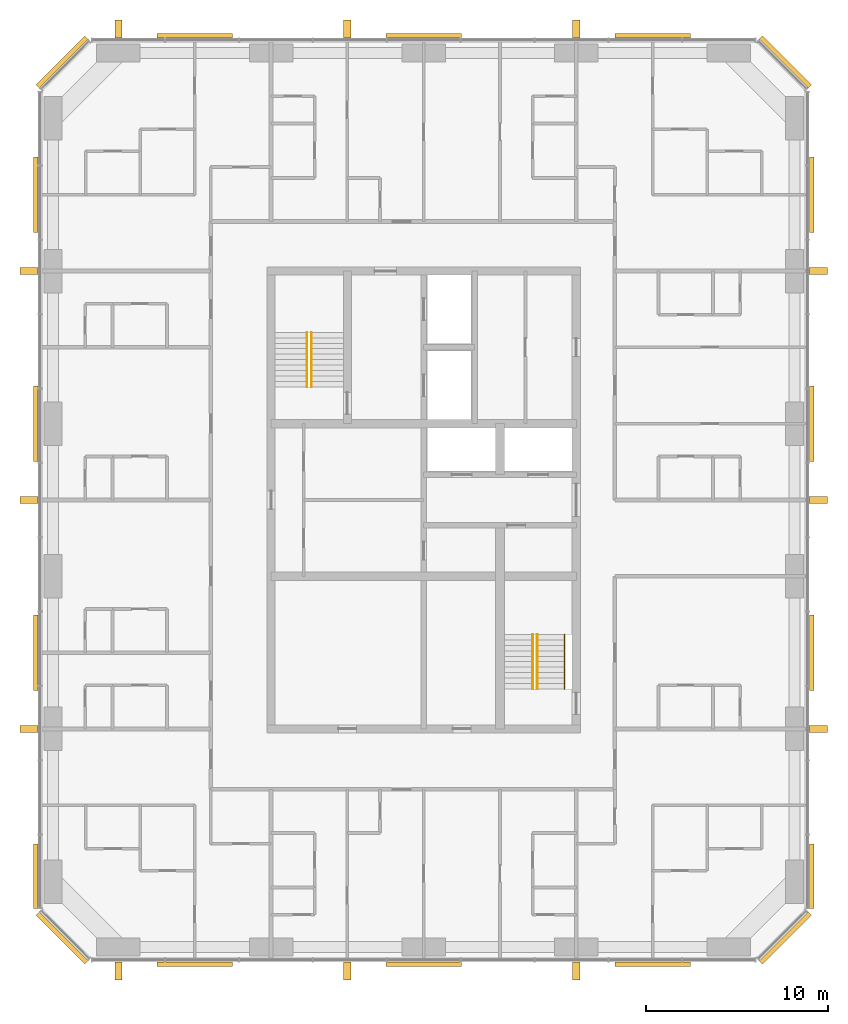
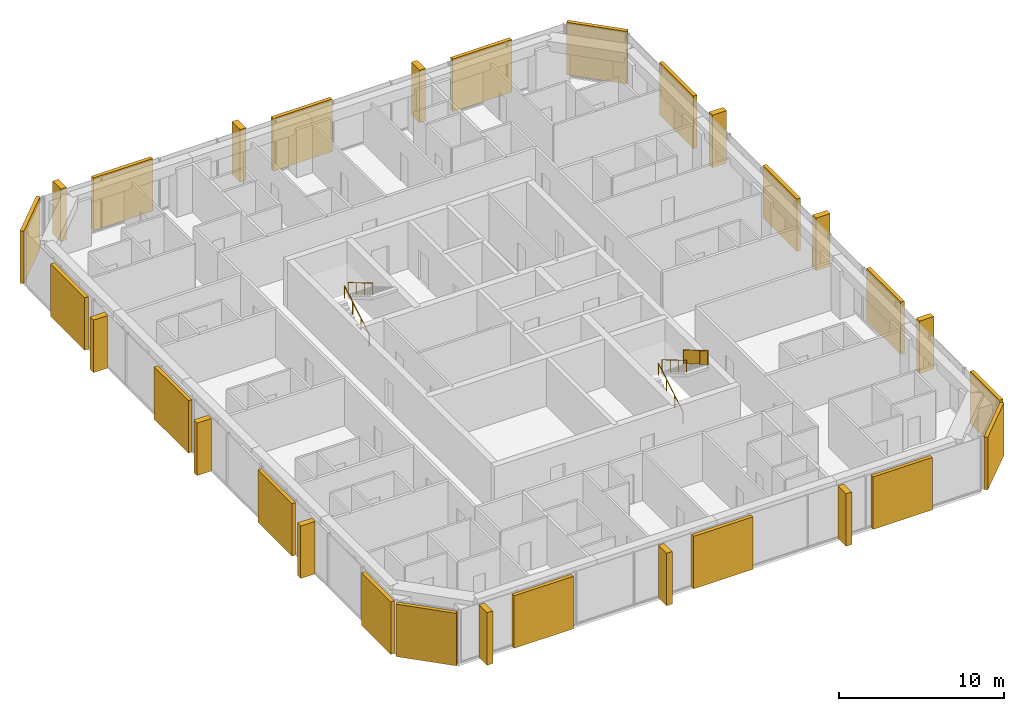
# One storey, part 13 of 13: 18 coverings, 12 shading devices, 5 railings.
"""IFC4 building model written with IfcOpenShell, lengths in metres."""

from ifc_helpers import new_model, si_unit, direction, frame, origin, origin_2d, place, context, subcontext, project, spatial, polyline, rectangle, circle, outline, extrude, material, layer, layer_set, type_object, element, save


model = new_model("IFC4")

# Units and contexts
model_context = context("Model", 3, precision=1e-05, world=origin(), true_north=direction((0.0, 1.0)))
body_context = subcontext(model_context, "Body", "Model", "MODEL_VIEW")
ifc_project = project(units=[si_unit("LENGTHUNIT", "METRE"), si_unit("AREAUNIT", "SQUARE_METRE"), si_unit("VOLUMEUNIT", "CUBIC_METRE"), si_unit("PLANEANGLEUNIT", "RADIAN"), si_unit("MASSUNIT", "GRAM", prefix="KILO")], contexts=[model_context])

# Site, building, storey
site_placement = place(None, origin())
site = spatial("IfcSite", under=ifc_project, at=site_placement, CompositionType="ELEMENT")
building_placement = place(site_placement, origin())
building = spatial("IfcBuilding", under=site, at=building_placement, Name="Dunama Terrace Hotel", CompositionType="ELEMENT")
storey_placement = place(building_placement, frame((0.0, 0.0, 276.300048828125)))
storey = spatial("IfcBuildingStorey", under=building, at=storey_placement, Name="L71", CompositionType="ELEMENT", Elevation=276.300048828125)

# Railings
ifc_material_1 = material(Name="Stainless steel and laminated glass guard", Category="steel")
railing_type_1 = type_object("IfcRailingType", Name="Guard 1100", PredefinedType="GUARDRAIL", material=ifc_material_1)
railing_1_placement = place(storey_placement, frame((41.35009765625, 22.0, 2.127197265625)))
element("IfcRailing", 1, at=railing_1_placement, inside=storey, type_object=railing_type_1, Name="Stair guard ST2 L71", PredefinedType="GUARDRAIL", context=body_context, shape_type="SweptSolid", body=[
    extrude(circle(Radius=0.02392578125, at=origin_2d()), frame((0.0, 0.0, 1.076171875), z_axis=(0.0, -0.86092931783, 0.508724591208), x_axis=(1.0, 0.0, 0.0)), (0.0, 0.0, 1.0), 3.484619140625),
    extrude(circle(Radius=0.02099609375, at=origin_2d()), origin(), (0.0, 0.0, 1.0), 1.052001953125),
    extrude(circle(Radius=0.02099609375, at=origin_2d()), frame((0.0, -1.0, 0.5908203125)), (0.0, 0.0, 1.0), 1.052001953125),
    extrude(circle(Radius=0.02099609375, at=origin_2d()), frame((0.0, -2.0, 1.181884765625)), (0.0, 0.0, 1.0), 1.052001953125),
    extrude(circle(Radius=0.02099609375, at=origin_2d()), frame((0.0, -3.0, 1.772705078125)), (0.0, 0.0, 1.0), 1.052001953125),
    extrude(outline(polyline([(0.0048828125, 0.052978515625), (0.9951171875, 0.63818359375), (0.9951171875, 1.6640625), (0.0048828125, 1.078857421875), (0.0048828125, 0.052978515625)])), frame((0.0087890625, 0.0, 0.0), z_axis=(-1.0, 0.0, 0.0), x_axis=(0.0, -1.0, 0.0)), (0.0, 0.0, 1.0), 0.017578125),
    extrude(outline(polyline([(0.0048828125, 0.052978515625), (0.9951171875, 0.63818359375), (0.9951171875, 1.6640625), (0.0048828125, 1.078857421875), (0.0048828125, 0.052978515625)])), frame((0.0087890625, -1.0, 0.5908203125), z_axis=(-1.0, 0.0, 0.0), x_axis=(0.0, -1.0, 0.0)), (0.0, 0.0, 1.0), 0.017578125),
    extrude(outline(polyline([(0.0048828125, 0.052978515625), (0.9951171875, 0.63818359375), (0.9951171875, 1.6640625), (0.0048828125, 1.078857421875), (0.0048828125, 0.052978515625)])), frame((0.0087890625, -2.0, 1.181884765625), z_axis=(-1.0, 0.0, 0.0), x_axis=(0.0, -1.0, 0.0)), (0.0, 0.0, 1.0), 0.017578125),
])
ifc_material_2 = material(Name="Stainless steel handrail", Category="steel")
railing_type_2 = type_object("IfcRailingType", Name="Stair handrail 900", PredefinedType="HANDRAIL", material=ifc_material_2)
railing_2_placement = place(storey_placement, frame((27.175048828125, 35.625, 0.17724609375)))
element("IfcRailing", 2, at=railing_2_placement, inside=storey, type_object=railing_type_2, Name="Handrail ST1 L71", PredefinedType="HANDRAIL", context=body_context, shape_type="SweptSolid", body=[
    extrude(circle(Radius=0.02392578125, at=origin_2d()), frame((0.0, 0.0, 0.8759765625), z_axis=(0.0, 0.86092931783, 0.508724591208), x_axis=(-1.0, 0.0, 0.0)), (0.0, 0.0, 1.0), 3.484619140625),
    extrude(circle(Radius=0.02099609375, at=origin_2d()), origin(), (0.0, 0.0, 1.0), 0.851806640625),
    extrude(circle(Radius=0.02099609375, at=origin_2d()), frame((0.0, 1.0, 0.5908203125)), (0.0, 0.0, 1.0), 0.851806640625),
    extrude(circle(Radius=0.02099609375, at=origin_2d()), frame((0.0, 2.0, 1.181884765625)), (0.0, 0.0, 1.0), 0.851806640625),
    extrude(circle(Radius=0.02099609375, at=origin_2d()), frame((0.0, 3.0, 1.772705078125)), (0.0, 0.0, 1.0), 0.851806640625),
])
railing_3_placement = place(storey_placement, frame((27.425048828125, 38.625, 2.127197265625)))
element("IfcRailing", 3, at=railing_3_placement, inside=storey, type_object=railing_type_2, Name="Handrail ST1 L71", PredefinedType="HANDRAIL", context=body_context, shape_type="SweptSolid", body=[
    extrude(circle(Radius=0.02392578125, at=origin_2d()), frame((0.0, 0.0, 0.8759765625), z_axis=(0.0, -0.86092931783, 0.508724591208), x_axis=(1.0, 0.0, 0.0)), (0.0, 0.0, 1.0), 3.484619140625),
    extrude(circle(Radius=0.02099609375, at=origin_2d()), origin(), (0.0, 0.0, 1.0), 0.851806640625),
    extrude(circle(Radius=0.02099609375, at=origin_2d()), frame((0.0, -1.0, 0.5908203125)), (0.0, 0.0, 1.0), 0.851806640625),
    extrude(circle(Radius=0.02099609375, at=origin_2d()), frame((0.0, -2.0, 1.181884765625)), (0.0, 0.0, 1.0), 0.851806640625),
    extrude(circle(Radius=0.02099609375, at=origin_2d()), frame((0.0, -3.0, 1.772705078125)), (0.0, 0.0, 1.0), 0.851806640625),
])
railing_4_placement = place(storey_placement, frame((39.60009765625, 19.0, 0.17724609375)))
element("IfcRailing", 4, at=railing_4_placement, inside=storey, type_object=railing_type_2, Name="Handrail ST2 L71", PredefinedType="HANDRAIL", context=body_context, shape_type="SweptSolid", body=[
    extrude(circle(Radius=0.02392578125, at=origin_2d()), frame((0.0, 0.0, 0.8759765625), z_axis=(0.0, 0.86092931783, 0.508724591208), x_axis=(-1.0, 0.0, 0.0)), (0.0, 0.0, 1.0), 3.484619140625),
    extrude(circle(Radius=0.02099609375, at=origin_2d()), origin(), (0.0, 0.0, 1.0), 0.851806640625),
    extrude(circle(Radius=0.02099609375, at=origin_2d()), frame((0.0, 1.0, 0.5908203125)), (0.0, 0.0, 1.0), 0.851806640625),
    extrude(circle(Radius=0.02099609375, at=origin_2d()), frame((0.0, 2.0, 1.181884765625)), (0.0, 0.0, 1.0), 0.851806640625),
    extrude(circle(Radius=0.02099609375, at=origin_2d()), frame((0.0, 3.0, 1.772705078125)), (0.0, 0.0, 1.0), 0.851806640625),
])
railing_5_placement = place(storey_placement, frame((39.85009765625, 22.0, 2.127197265625)))
element("IfcRailing", 5, at=railing_5_placement, inside=storey, type_object=railing_type_2, Name="Handrail ST2 L71", PredefinedType="HANDRAIL", context=body_context, shape_type="SweptSolid", body=[
    extrude(circle(Radius=0.02392578125, at=origin_2d()), frame((0.0, 0.0, 0.8759765625), z_axis=(0.0, -0.86092931783, 0.508724591208), x_axis=(1.0, 0.0, 0.0)), (0.0, 0.0, 1.0), 3.484619140625),
    extrude(circle(Radius=0.02099609375, at=origin_2d()), origin(), (0.0, 0.0, 1.0), 0.851806640625),
    extrude(circle(Radius=0.02099609375, at=origin_2d()), frame((0.0, -1.0, 0.5908203125)), (0.0, 0.0, 1.0), 0.851806640625),
    extrude(circle(Radius=0.02099609375, at=origin_2d()), frame((0.0, -2.0, 1.181884765625)), (0.0, 0.0, 1.0), 0.851806640625),
    extrude(circle(Radius=0.02099609375, at=origin_2d()), frame((0.0, -3.0, 1.772705078125)), (0.0, 0.0, 1.0), 0.851806640625),
])

# Coverings
ifc_material_3 = material(Name="Warm reconstituted stone panel", Category="masonry")
ifc_layer_1 = layer(ifc_material_3, 0.25)
ifc_layer_set_1 = layer_set([ifc_layer_1], Name="Stone diagonal panel")
covering_type = type_object("IfcCoveringType", Name="Stone diagonal panel", PredefinedType="CLADDING", material=ifc_layer_set_1)
for number, where, z_axis, x_axis, name in (
    (6, (21.0, 3.8369140625, 0.001953125), (0.0, 0.0, 1.0), (1.0, 0.0, 0.0), "Stone diagonal panel L71"),
    (7, (33.60009765625, 3.8369140625, 0.001953125), (0.0, 0.0, 1.0), (1.0, 0.0, 0.0), "Stone diagonal panel L71"),
    (8, (46.199951171875, 3.8369140625, 0.001953125), (0.0, 0.0, 1.0), (1.0, 0.0, 0.0), "Stone diagonal panel L71"),
):
    element("IfcCovering", number, at=place(storey_placement, frame(where, z_axis=z_axis, x_axis=x_axis)), inside=storey, type_object=covering_type, Name=name, PredefinedType="CLADDING", context=body_context, shape_type="SweptSolid", body=[
        extrude(rectangle(XDim=4.14990234375, YDim=0.25, at=origin_2d()), origin(), (0.0, 0.0, 1.0), 3.89599609375),
    ])
covering_1_placement = place(storey_placement, frame((53.507080078125, 5.29296875, 0.001953125), z_axis=(0.0, 0.0, 1.0), x_axis=(0.707106781187, 0.707106781187, 0.0)))
element("IfcCovering", 9, at=covering_1_placement, inside=storey, type_object=covering_type, Name="Stone diagonal panel L71", PredefinedType="CLADDING", context=body_context, shape_type="SweptSolid", body=[
    extrude(rectangle(XDim=3.808349609375, YDim=0.25, at=origin_2d()), origin(), (0.0, 0.0, 1.0), 3.89599609375),
])
covering_2_placement = place(storey_placement, frame((54.962890625, 8.68994140625, 0.001953125), z_axis=(0.0, 0.0, 1.0), x_axis=(0.0, 1.0, 0.0)))
element("IfcCovering", 10, at=covering_2_placement, inside=storey, type_object=covering_type, Name="Stone diagonal panel L71", PredefinedType="CLADDING", context=body_context, shape_type="SweptSolid", body=[
    extrude(rectangle(XDim=3.570068359375, YDim=0.25, at=origin_2d()), origin(), (0.0, 0.0, 1.0), 3.89599609375),
])
for number, where, z_axis, x_axis, name in (
    (11, (54.962890625, 21.0, 0.001953125), (0.0, 0.0, 1.0), (0.0, 1.0, 0.0), "Stone diagonal panel L71"),
    (12, (54.962890625, 33.60009765625, 0.001953125), (0.0, 0.0, 1.0), (0.0, 1.0, 0.0), "Stone diagonal panel L71"),
    (13, (54.962890625, 46.199951171875, 0.001953125), (0.0, 0.0, 1.0), (0.0, 1.0, 0.0), "Stone diagonal panel L71"),
):
    element("IfcCovering", number, at=place(storey_placement, frame(where, z_axis=z_axis, x_axis=x_axis)), inside=storey, type_object=covering_type, Name=name, PredefinedType="CLADDING", context=body_context, shape_type="SweptSolid", body=[
        extrude(rectangle(XDim=4.14990234375, YDim=0.25, at=origin_2d()), origin(), (0.0, 0.0, 1.0), 3.89599609375),
    ])
covering_3_placement = place(storey_placement, frame((53.507080078125, 53.507080078125, 0.001953125), z_axis=(0.0, 0.0, 1.0), x_axis=(-0.707106781187, 0.707106781187, 0.0)))
element("IfcCovering", 14, at=covering_3_placement, inside=storey, type_object=covering_type, Name="Stone diagonal panel L71", PredefinedType="CLADDING", context=body_context, shape_type="SweptSolid", body=[
    extrude(rectangle(XDim=3.808349609375, YDim=0.25, at=origin_2d()), origin(), (0.0, 0.0, 1.0), 3.89599609375),
])
for number, where, z_axis, x_axis, name in (
    (15, (46.199951171875, 54.962890625, 0.001953125), (0.0, 0.0, 1.0), (-1.0, 0.0, 0.0), "Stone diagonal panel L71"),
    (16, (33.60009765625, 54.962890625, 0.001953125), (0.0, 0.0, 1.0), (-1.0, 0.0, 0.0), "Stone diagonal panel L71"),
    (17, (21.0, 54.962890625, 0.001953125), (0.0, 0.0, 1.0), (-1.0, 0.0, 0.0), "Stone diagonal panel L71"),
):
    element("IfcCovering", number, at=place(storey_placement, frame(where, z_axis=z_axis, x_axis=x_axis)), inside=storey, type_object=covering_type, Name=name, PredefinedType="CLADDING", context=body_context, shape_type="SweptSolid", body=[
        extrude(rectangle(XDim=4.14990234375, YDim=0.25, at=origin_2d()), origin(), (0.0, 0.0, 1.0), 3.89599609375),
    ])
covering_4_placement = place(storey_placement, frame((13.693115234375, 53.507080078125, 0.001953125), z_axis=(0.0, 0.0, 1.0), x_axis=(-0.707106781187, -0.707106781187, 0.0)))
element("IfcCovering", 18, at=covering_4_placement, inside=storey, type_object=covering_type, Name="Stone diagonal panel L71", PredefinedType="CLADDING", context=body_context, shape_type="SweptSolid", body=[
    extrude(rectangle(XDim=3.808349609375, YDim=0.25, at=origin_2d()), origin(), (0.0, 0.0, 1.0), 3.89599609375),
])
for number, where, z_axis, x_axis, name in (
    (19, (12.237060546875, 46.199951171875, 0.001953125), (0.0, 0.0, 1.0), (0.0, -1.0, 0.0), "Stone diagonal panel L71"),
    (20, (12.237060546875, 33.60009765625, 0.001953125), (0.0, 0.0, 1.0), (0.0, -1.0, 0.0), "Stone diagonal panel L71"),
    (21, (12.237060546875, 21.0, 0.001953125), (0.0, 0.0, 1.0), (0.0, -1.0, 0.0), "Stone diagonal panel L71"),
):
    element("IfcCovering", number, at=place(storey_placement, frame(where, z_axis=z_axis, x_axis=x_axis)), inside=storey, type_object=covering_type, Name=name, PredefinedType="CLADDING", context=body_context, shape_type="SweptSolid", body=[
        extrude(rectangle(XDim=4.14990234375, YDim=0.25, at=origin_2d()), origin(), (0.0, 0.0, 1.0), 3.89599609375),
    ])
covering_5_placement = place(storey_placement, frame((12.237060546875, 8.68994140625, 0.001953125), z_axis=(0.0, 0.0, 1.0), x_axis=(0.0, -1.0, 0.0)))
element("IfcCovering", 22, at=covering_5_placement, inside=storey, type_object=covering_type, Name="Stone diagonal panel L71", PredefinedType="CLADDING", context=body_context, shape_type="SweptSolid", body=[
    extrude(rectangle(XDim=3.570068359375, YDim=0.25, at=origin_2d()), origin(), (0.0, 0.0, 1.0), 3.89599609375),
])
covering_6_placement = place(storey_placement, frame((13.693115234375, 5.29296875, 0.001953125), z_axis=(0.0, 0.0, 1.0), x_axis=(0.707106781187, -0.707106781187, 0.0)))
element("IfcCovering", 23, at=covering_6_placement, inside=storey, type_object=covering_type, Name="Stone diagonal panel L71", PredefinedType="CLADDING", context=body_context, shape_type="SweptSolid", body=[
    extrude(rectangle(XDim=3.808349609375, YDim=0.25, at=origin_2d()), origin(), (0.0, 0.0, 1.0), 3.89599609375),
])

# Shading devices
ifc_material_4 = material(Name="Warm reconstituted stone fin", Category="masonry")
ifc_layer_2 = layer(ifc_material_4, 0.39990234375)
ifc_layer_set_2 = layer_set([ifc_layer_2], Name="Warm stone fin 400x1000")
shading_device_type = type_object("IfcShadingDeviceType", Name="Warm stone fin 400x1000", PredefinedType="USERDEFINED", material=ifc_layer_set_2)
for number, where, z_axis, x_axis, name in (
    (24, (16.800048828125, 3.48193359375, 0.0), (0.0, 0.0, 1.0), (1.0, 0.0, 0.0), "Stone fin"),
    (25, (29.39990234375, 3.48193359375, 0.0), (0.0, 0.0, 1.0), (1.0, 0.0, 0.0), "Stone fin"),
    (26, (42.0, 3.48193359375, 0.0), (0.0, 0.0, 1.0), (1.0, 0.0, 0.0), "Stone fin"),
    (27, (55.318115234375, 16.800048828125, 0.0), (0.0, 0.0, 1.0), (0.0, 1.0, 0.0), "Stone fin"),
    (28, (55.318115234375, 29.39990234375, 0.0), (0.0, 0.0, 1.0), (0.0, 1.0, 0.0), "Stone fin"),
    (29, (55.318115234375, 42.0, 0.0), (0.0, 0.0, 1.0), (0.0, 1.0, 0.0), "Stone fin"),
    (30, (42.0, 55.318115234375, 0.0), (0.0, 0.0, 1.0), (-1.0, 0.0, 0.0), "Stone fin"),
    (31, (29.39990234375, 55.318115234375, 0.0), (0.0, 0.0, 1.0), (-1.0, 0.0, 0.0), "Stone fin"),
    (32, (16.800048828125, 55.318115234375, 0.0), (0.0, 0.0, 1.0), (-1.0, 0.0, 0.0), "Stone fin"),
    (33, (11.882080078125, 42.0, 0.0), (0.0, 0.0, 1.0), (0.0, -1.0, 0.0), "Stone fin"),
    (34, (11.882080078125, 29.39990234375, 0.0), (0.0, 0.0, 1.0), (0.0, -1.0, 0.0), "Stone fin"),
    (35, (11.882080078125, 16.800048828125, 0.0), (0.0, 0.0, 1.0), (0.0, -1.0, 0.0), "Stone fin"),
):
    element("IfcShadingDevice", number, at=place(storey_placement, frame(where, z_axis=z_axis, x_axis=x_axis)), inside=storey, type_object=shading_device_type, Name=name, ObjectType="FIN", PredefinedType="USERDEFINED", context=body_context, shape_type="SweptSolid", body=[
        extrude(rectangle(XDim=0.39990234375, YDim=1.0, at=origin_2d()), origin(), (0.0, 0.0, 1.0), 3.89990234375),
    ])

save(model, "model.ifc")
